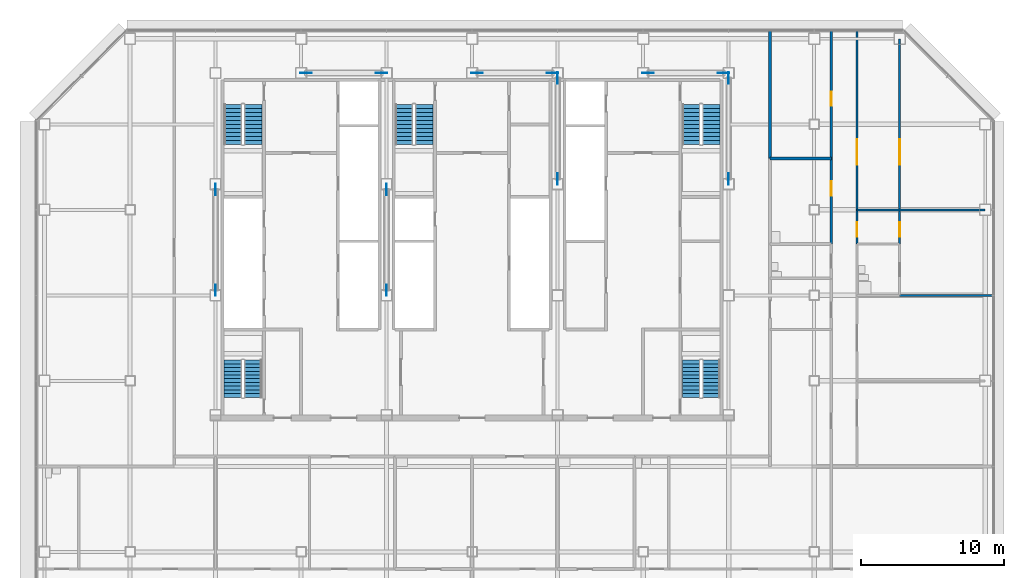
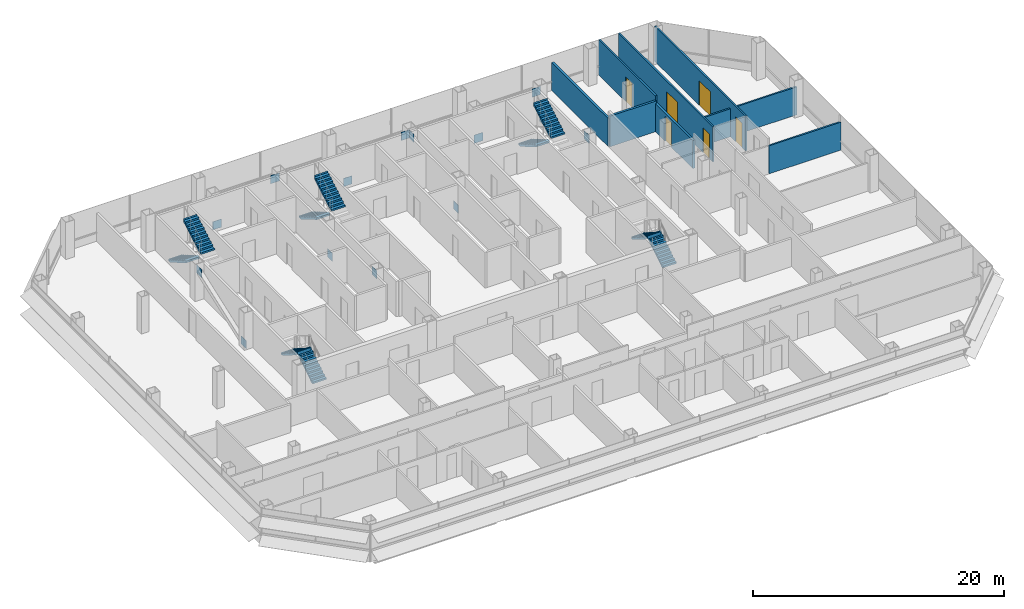
# One storey, part 23 of 25: 14 discrete accessories, 10 stair flights, 8 walls, 6 doors, 6 openings, 5 elements without a shape of their own.
"""IFC4 building model written with IfcOpenShell, lengths in metres."""

from ifc_helpers import new_model, si_unit, direction, frame, frame_2d, origin, origin_2d, place, context, subcontext, project, spatial, polyline, rectangle, outline, extrude, material, layer, layer_set, type_object, element, fill, aggregate, save


model = new_model("IFC4")

# Units and contexts
model_context = context("Model", 3, precision=1e-05, world=origin(), true_north=direction((0.0, 1.0)))
body_context = subcontext(model_context, "Body", "Model", "MODEL_VIEW")
ifc_project = project(units=[si_unit("LENGTHUNIT", "METRE"), si_unit("AREAUNIT", "SQUARE_METRE"), si_unit("VOLUMEUNIT", "CUBIC_METRE"), si_unit("PLANEANGLEUNIT", "RADIAN"), si_unit("MASSUNIT", "GRAM", prefix="KILO")], contexts=[model_context])

# Site, building, storey
site_placement = place(None, origin())
site = spatial("IfcSite", under=ifc_project, at=site_placement, CompositionType="ELEMENT")
building_placement = place(site_placement, origin())
building = spatial("IfcBuilding", under=site, at=building_placement, Name="Sorahane Residences", CompositionType="ELEMENT")
storey_placement = place(building_placement, frame((0.0, 0.0, 126.800048828125)))
storey = spatial("IfcBuildingStorey", under=building, at=storey_placement, Name="L28", CompositionType="ELEMENT", Elevation=126.800048828125)

# Wall
ifc_material_1 = material(Name="Concrete blockwork C20 wall", Category="masonry")
ifc_layer_1 = layer(ifc_material_1, 0.199951171875)
ifc_layer_set_1 = layer_set([ifc_layer_1], Name="Corridor wall 200 EI 120")
wall_type_1 = type_object("IfcWallType", Name="Corridor wall 200 EI 120", PredefinedType="SOLIDWALL", material=ifc_layer_set_1)
wall_1_placement = place(storey_placement, frame((44.89990234375, 39.60009765625, 0.0), z_axis=(0.0, 0.0, 1.0), x_axis=(0.0, 1.0, 0.0)))
element("IfcWall", 1, at=wall_1_placement, inside=storey, type_object=wall_type_1, Name="L28 corridor wall", PredefinedType="SOLIDWALL", context=body_context, shape_type="SweptSolid", body=[
    extrude(rectangle(XDim=9.0, YDim=0.199951171875, at=frame_2d((4.5, 0.0))), origin(), (0.0, 0.0, 1.0), 2.719970703125),
])

# Wall, opening, door
ifc_material_2 = material(Name="Concrete blockwork C20 wall", Category="masonry")
ifc_layer_2 = layer(ifc_material_2, 0.199951171875)
ifc_layer_set_2 = layer_set([ifc_layer_2], Name="Kitchen wall 200 EI 180")
wall_type_2 = type_object("IfcWallType", Name="Kitchen wall 200 EI 180", PredefinedType="SOLIDWALL", material=ifc_layer_set_2)
wall_2_placement = place(storey_placement, frame((49.199951171875, 33.60009765625, 0.0), z_axis=(0.0, 0.0, 1.0), x_axis=(0.0, 1.0, 0.0)))
wall_2 = element("IfcWall", 2, at=wall_2_placement, inside=storey, type_object=wall_type_2, Name="L28 kitchen wall", PredefinedType="SOLIDWALL", context=body_context, shape_type="SweptSolid", body=[
    extrude(rectangle(XDim=6.0, YDim=0.199951171875, at=frame_2d((3.0, 0.0))), origin(), (0.0, 0.0, 1.0), 2.719970703125),
])
opening_1_placement = place(wall_2_placement, frame((3.39990234375, 0.0, 0.0)))
opening_1 = element("IfcOpeningElement", 3, at=opening_1_placement, cuts=wall_2, Name="Opening L28-31", PredefinedType="OPENING", context=body_context, shape_type="SweptSolid", body=[
    extrude(rectangle(XDim=1.0, YDim=2.39990234375, at=frame_2d((0.5, 1.199951171875))), frame((0.0, 0.10986328125, 0.0), z_axis=(0.0, -1.0, 0.0), x_axis=(1.0, 0.0, 0.0)), (0.0, 0.0, 1.0), 0.219970703125),
])
ifc_material_3 = material(Name="Steel", Category="steel")
door_type_1 = type_object("IfcDoorType", Name="Kitchen door 1000x2400 FD120", OperationType="NOTDEFINED", PredefinedType="DOOR", material=ifc_material_3)
door_1_placement = place(opening_1_placement, origin())
door_1 = element("IfcDoor", 4, at=door_1_placement, inside=storey, type_object=door_type_1, Name="Kitchen door L28-31", OperationType="SINGLE_SWING_LEFT", OverallHeight=2.39990234375, OverallWidth=1.0, PredefinedType="DOOR", context=body_context, shape_type="SweptSolid", body=[
    extrude(rectangle(XDim=1.0, YDim=2.39990234375, at=frame_2d((0.5, 1.199951171875))), frame((0.0, 0.02490234375, 0.0), z_axis=(0.0, -1.0, 0.0), x_axis=(1.0, 0.0, 0.0)), (0.0, 0.0, 1.0), 0.050048828125),
])
fill(opening_1, door_1)

# Wall
wall_3_placement = place(storey_placement, frame((44.89990234375, 39.60009765625, 0.0), z_axis=(0.0, 0.0, 1.0), x_axis=(1.0, 0.0, 0.0)))
element("IfcWall", 5, at=wall_3_placement, inside=storey, type_object=wall_type_2, Name="L28 kitchen wall", PredefinedType="SOLIDWALL", context=body_context, shape_type="SweptSolid", body=[
    extrude(rectangle(XDim=4.300048828125, YDim=0.199951171875, at=frame_2d((2.14990234375, 0.0))), origin(), (0.0, 0.0, 1.0), 2.969970703125),
])

# Wall, opening, door
ifc_material_4 = material(Name="Gypsum board partition on steel studs", Category="steel")
ifc_layer_3 = layer(ifc_material_4, 0.14990234375)
ifc_layer_set_3 = layer_set([ifc_layer_3], Name="Partition 150 EI 90")
wall_type_3 = type_object("IfcWallType", Name="Partition 150 EI 90", PredefinedType="PARTITIONING", material=ifc_layer_set_3)
wall_4_placement = place(storey_placement, frame((49.199951171875, 39.60009765625, 0.0), z_axis=(0.0, 0.0, 1.0), x_axis=(0.0, 1.0, 0.0)))
wall_4 = element("IfcWall", 6, at=wall_4_placement, inside=storey, type_object=wall_type_3, Name="L28 partition", PredefinedType="PARTITIONING", context=body_context, shape_type="SweptSolid", body=[
    extrude(rectangle(XDim=9.0, YDim=0.14990234375, at=frame_2d((4.5, 0.0))), origin(), (0.0, 0.0, 1.0), 3.419921875),
])
opening_2_placement = place(wall_4_placement, frame((3.699951171875, 0.0, 0.0)))
opening_2 = element("IfcOpeningElement", 7, at=opening_2_placement, cuts=wall_4, Name="Opening L28-32", PredefinedType="OPENING", context=body_context, shape_type="SweptSolid", body=[
    extrude(rectangle(XDim=1.0, YDim=2.39990234375, at=frame_2d((0.5, 1.199951171875))), frame((0.0, 0.0849609375, 0.0), z_axis=(0.0, -1.0, 0.0), x_axis=(1.0, 0.0, 0.0)), (0.0, 0.0, 1.0), 0.169921875),
])
ifc_material_5 = material(Name="Timber veneered fire door", Category="wood")
door_type_2 = type_object("IfcDoorType", Name="Room door 1000x2400 FD30", OperationType="NOTDEFINED", PredefinedType="DOOR", material=ifc_material_5)
door_2_placement = place(opening_2_placement, origin())
door_2 = element("IfcDoor", 8, at=door_2_placement, inside=storey, type_object=door_type_2, Name="Room door L28-32", OperationType="SINGLE_SWING_RIGHT", OverallHeight=2.39990234375, OverallWidth=1.0, PredefinedType="DOOR", context=body_context, shape_type="SweptSolid", body=[
    extrude(rectangle(XDim=1.0, YDim=2.39990234375, at=frame_2d((0.5, 1.199951171875))), frame((0.0, 0.02490234375, 0.0), z_axis=(0.0, -1.0, 0.0), x_axis=(1.0, 0.0, 0.0)), (0.0, 0.0, 1.0), 0.050048828125),
])
fill(opening_2, door_2)

# Wall, openings, doors
wall_5_placement = place(storey_placement, frame((51.0, 33.60009765625, 0.0), z_axis=(0.0, 0.0, 1.0), x_axis=(0.0, 1.0, 0.0)))
wall_5 = element("IfcWall", 9, at=wall_5_placement, inside=storey, type_object=wall_type_3, Name="L28 partition", PredefinedType="PARTITIONING", context=body_context, shape_type="SweptSolid", body=[
    extrude(rectangle(XDim=15.0, YDim=0.14990234375, at=frame_2d((7.5, 0.0))), origin(), (0.0, 0.0, 1.0), 3.419921875),
])
opening_3_placement = place(wall_5_placement, frame((0.52001953125, 0.0, 0.0)))
opening_3 = element("IfcOpeningElement", 10, at=opening_3_placement, cuts=wall_5, Name="Opening L28-35", PredefinedType="OPENING", context=body_context, shape_type="SweptSolid", body=[
    extrude(rectangle(XDim=1.0, YDim=2.39990234375, at=frame_2d((0.5, 1.199951171875))), frame((0.0, 0.0849609375, 0.0), z_axis=(0.0, -1.0, 0.0), x_axis=(1.0, 0.0, 0.0)), (0.0, 0.0, 1.0), 0.169921875),
])
opening_4_placement = place(wall_5_placement, frame((5.56005859375, 0.0, 0.0)))
opening_4 = element("IfcOpeningElement", 11, at=opening_4_placement, cuts=wall_5, Name="Opening L28-36", PredefinedType="OPENING", context=body_context, shape_type="SweptSolid", body=[
    extrude(rectangle(XDim=1.800048828125, YDim=2.39990234375, at=frame_2d((0.89990234375, 1.199951171875))), frame((0.0, 0.0849609375, 0.0), z_axis=(0.0, -1.0, 0.0), x_axis=(1.0, 0.0, 0.0)), (0.0, 0.0, 1.0), 0.169921875),
])
ifc_material_6 = material(Name="Timber veneered fire door", Category="wood")
door_type_3 = type_object("IfcDoorType", Name="Double door 1800x2400 FD30", OperationType="NOTDEFINED", PredefinedType="DOOR", material=ifc_material_6)
door_3_placement = place(opening_4_placement, frame((1.800048828125, 0.0, 0.0), z_axis=(0.0, 0.0, 1.0), x_axis=(-1.0, 0.0, 0.0)))
door_3 = element("IfcDoor", 12, at=door_3_placement, inside=storey, type_object=door_type_3, Name="Double door L28-36", OperationType="SINGLE_SWING_RIGHT", OverallHeight=2.39990234375, OverallWidth=1.800048828125, PredefinedType="DOOR", context=body_context, shape_type="SweptSolid", body=[
    extrude(rectangle(XDim=1.800048828125, YDim=2.39990234375, at=frame_2d((0.89990234375, 1.199951171875))), frame((0.0, 0.02490234375, 0.0), z_axis=(0.0, -1.0, 0.0), x_axis=(1.0, 0.0, 0.0)), (0.0, 0.0, 1.0), 0.050048828125),
])
fill(opening_4, door_3)
door_4_placement = place(opening_3_placement, frame((1.0, 0.0, 0.0), z_axis=(0.0, 0.0, 1.0), x_axis=(-1.0, 0.0, 0.0)))
door_4 = element("IfcDoor", 13, at=door_4_placement, inside=storey, type_object=door_type_2, Name="Room door L28-35", OperationType="SINGLE_SWING_LEFT", OverallHeight=2.39990234375, OverallWidth=1.0, PredefinedType="DOOR", context=body_context, shape_type="SweptSolid", body=[
    extrude(rectangle(XDim=1.0, YDim=2.39990234375, at=frame_2d((0.5, 1.199951171875))), frame((0.0, 0.02490234375, 0.0), z_axis=(0.0, -1.0, 0.0), x_axis=(1.0, 0.0, 0.0)), (0.0, 0.0, 1.0), 0.050048828125),
])
fill(opening_3, door_4)

wall_6_placement = place(storey_placement, frame((54.0, 33.60009765625, 0.0), z_axis=(0.0, 0.0, 1.0), x_axis=(0.0, 1.0, 0.0)))
wall_6 = element("IfcWall", 14, at=wall_6_placement, inside=storey, type_object=wall_type_3, Name="L28 partition", PredefinedType="PARTITIONING", context=body_context, shape_type="SweptSolid", body=[
    extrude(rectangle(XDim=14.39990234375, YDim=0.14990234375, at=frame_2d((7.199951171875, 0.0))), origin(), (0.0, 0.0, 1.0), 3.419921875),
])
opening_5_placement = place(wall_6_placement, frame((0.52001953125, 0.0, 0.0)))
opening_5 = element("IfcOpeningElement", 15, at=opening_5_placement, cuts=wall_6, Name="Opening L28-37", PredefinedType="OPENING", context=body_context, shape_type="SweptSolid", body=[
    extrude(rectangle(XDim=1.0, YDim=2.39990234375, at=frame_2d((0.5, 1.199951171875))), frame((0.0, 0.0849609375, 0.0), z_axis=(0.0, -1.0, 0.0), x_axis=(1.0, 0.0, 0.0)), (0.0, 0.0, 1.0), 0.169921875),
])
opening_6_placement = place(wall_6_placement, frame((5.56005859375, 0.0, 0.0)))
opening_6 = element("IfcOpeningElement", 16, at=opening_6_placement, cuts=wall_6, Name="Opening L28-39", PredefinedType="OPENING", context=body_context, shape_type="SweptSolid", body=[
    extrude(rectangle(XDim=1.800048828125, YDim=2.39990234375, at=frame_2d((0.89990234375, 1.199951171875))), frame((0.0, 0.0849609375, 0.0), z_axis=(0.0, -1.0, 0.0), x_axis=(1.0, 0.0, 0.0)), (0.0, 0.0, 1.0), 0.169921875),
])
door_5_placement = place(opening_6_placement, frame((1.800048828125, 0.0, 0.0), z_axis=(0.0, 0.0, 1.0), x_axis=(-1.0, 0.0, 0.0)))
door_5 = element("IfcDoor", 17, at=door_5_placement, inside=storey, type_object=door_type_3, Name="Double door L28-39", OperationType="SINGLE_SWING_LEFT", OverallHeight=2.39990234375, OverallWidth=1.800048828125, PredefinedType="DOOR", context=body_context, shape_type="SweptSolid", body=[
    extrude(rectangle(XDim=1.800048828125, YDim=2.39990234375, at=frame_2d((0.89990234375, 1.199951171875))), frame((0.0, 0.02490234375, 0.0), z_axis=(0.0, -1.0, 0.0), x_axis=(1.0, 0.0, 0.0)), (0.0, 0.0, 1.0), 0.050048828125),
])
fill(opening_6, door_5)
door_6_placement = place(opening_5_placement, frame((1.0, 0.0, 0.0), z_axis=(0.0, 0.0, 1.0), x_axis=(-1.0, 0.0, 0.0)))
door_6 = element("IfcDoor", 18, at=door_6_placement, inside=storey, type_object=door_type_2, Name="Room door L28-37", OperationType="SINGLE_SWING_LEFT", OverallHeight=2.39990234375, OverallWidth=1.0, PredefinedType="DOOR", context=body_context, shape_type="SweptSolid", body=[
    extrude(rectangle(XDim=1.0, YDim=2.39990234375, at=frame_2d((0.5, 1.199951171875))), frame((0.0, 0.02490234375, 0.0), z_axis=(0.0, -1.0, 0.0), x_axis=(1.0, 0.0, 0.0)), (0.0, 0.0, 1.0), 0.050048828125),
])
fill(opening_5, door_6)

# Walls
wall_7_placement = place(storey_placement, frame((54.0, 30.0, 0.0), z_axis=(0.0, 0.0, 1.0), x_axis=(1.0, 0.0, 0.0)))
element("IfcWall", 19, at=wall_7_placement, inside=storey, type_object=wall_type_3, Name="L28 partition", PredefinedType="PARTITIONING", context=body_context, shape_type="SweptSolid", body=[
    extrude(rectangle(XDim=6.60009765625, YDim=0.14990234375, at=frame_2d((3.300048828125, 0.0))), origin(), (0.0, 0.0, 1.0), 2.719970703125),
])
wall_8_placement = place(storey_placement, frame((51.0, 36.0, 0.0), z_axis=(0.0, 0.0, 1.0), x_axis=(1.0, 0.0, 0.0)))
element("IfcWall", 20, at=wall_8_placement, inside=storey, type_object=wall_type_3, Name="L28 partition", PredefinedType="PARTITIONING", context=body_context, shape_type="SweptSolid", body=[
    extrude(rectangle(XDim=9.0, YDim=0.14990234375, at=frame_2d((4.5, 0.0))), origin(), (0.0, 0.0, 1.0), 2.719970703125),
])

# Stair, stair flights
ifc_material_7 = material(Name="Concrete C40", Category="concrete")
stair_type = type_object("IfcStairType", Name="Dog-leg stair 1250 Concrete C40", PredefinedType="HALF_TURN_STAIR", material=ifc_material_7)
stair_1_placement = place(storey_placement, origin())
stair_1 = element("IfcStair", 21, at=stair_1_placement, inside=storey, type_object=stair_type, Name="L28 Stair S1", PredefinedType="HALF_TURN_STAIR")
ifc_material_8 = material(Name="Concrete C40", Category="concrete")
stair_flight_type = type_object("IfcStairFlightType", Name="Stair flight 1250 Concrete C40", PredefinedType="STRAIGHT", material=ifc_material_8)
stair_flight_1_placement = place(storey_placement, frame((7.22509765625, 43.39990234375, 0.0), z_axis=(0.0, 0.0, 1.0), x_axis=(0.0, -1.0, 0.0)))
stair_flight_1 = element("IfcStairFlight", 22, at=stair_flight_1_placement, type_object=stair_flight_type, Name="S1 flight 1", NumberOfRisers=11, NumberOfTreads=10, PredefinedType="STRAIGHT", RiserHeight=0.163636364, TreadLength=0.28, context=body_context, shape_type="SweptSolid", body=[
    extrude(outline(polyline([(-0.00146484375, 0.0), (-0.00146484375, 0.16357421875), (0.0, 0.16357421875), (0.280029296875, 0.16357421875), (0.280029296875, 0.327392578125), (0.56005859375, 0.327392578125), (0.56005859375, 0.490966796875), (0.840087890625, 0.490966796875), (0.840087890625, 0.654541015625), (1.1201171875, 0.654541015625), (1.1201171875, 0.818115234375), (1.39990234375, 0.818115234375), (1.39990234375, 0.98193359375), (1.679931640625, 0.98193359375), (1.679931640625, 1.1455078125), (1.9599609375, 1.1455078125), (1.9599609375, 1.30908203125), (2.239990234375, 1.30908203125), (2.239990234375, 1.47265625), (2.52001953125, 1.47265625), (2.52001953125, 1.636474609375), (2.800048828125, 1.636474609375), (2.800048828125, 1.800048828125), (2.800048828125, 1.462646484375), (2.59130859375, 1.3408203125), (2.3828125, 1.218994140625), (2.17431640625, 1.09716796875), (1.965576171875, 0.97509765625), (1.757080078125, 0.853271484375), (1.548583984375, 0.7314453125), (1.340087890625, 0.609375), (1.13134765625, 0.487548828125), (0.9228515625, 0.36572265625), (0.71435546875, 0.243896484375), (0.505615234375, 0.121826171875), (0.297119140625, 0.0), (-0.00146484375, 0.0)])), frame((0.0, 0.625, 0.0), z_axis=(0.0, -1.0, 0.0), x_axis=(1.0, 0.0, 0.0)), (0.0, 0.0, 1.0), 1.25),
])
stair_flight_2_placement = place(storey_placement, frame((8.625, 40.60009765625, 1.800048828125), z_axis=(0.0, 0.0, 1.0), x_axis=(0.0, 1.0, 0.0)))
stair_flight_2 = element("IfcStairFlight", 23, at=stair_flight_2_placement, type_object=stair_flight_type, Name="S1 flight 2", NumberOfRisers=11, NumberOfTreads=10, PredefinedType="STRAIGHT", RiserHeight=0.163636364, TreadLength=0.28, context=body_context, shape_type="SweptSolid", body=[
    extrude(outline(polyline([(0.0, 0.0), (0.0, 0.16357421875), (0.280029296875, 0.16357421875), (0.280029296875, 0.327392578125), (0.56005859375, 0.327392578125), (0.56005859375, 0.490966796875), (0.840087890625, 0.490966796875), (0.840087890625, 0.654541015625), (1.1201171875, 0.654541015625), (1.1201171875, 0.818115234375), (1.39990234375, 0.818115234375), (1.39990234375, 0.98193359375), (1.679931640625, 0.98193359375), (1.679931640625, 1.1455078125), (1.9599609375, 1.1455078125), (1.9599609375, 1.30908203125), (2.239990234375, 1.30908203125), (2.239990234375, 1.47265625), (2.52001953125, 1.47265625), (2.52001953125, 1.636474609375), (2.800048828125, 1.636474609375), (2.800048828125, 1.800048828125), (2.801513671875, 1.800048828125), (2.801513671875, 1.462646484375), (2.5927734375, 1.3408203125), (2.384033203125, 1.218994140625), (2.17529296875, 1.09716796875), (1.966796875, 0.97509765625), (1.758056640625, 0.853271484375), (1.54931640625, 0.7314453125), (1.340576171875, 0.609375), (1.1318359375, 0.487548828125), (0.923095703125, 0.36572265625), (0.714599609375, 0.243896484375), (0.505859375, 0.121826171875), (0.297119140625, 0.0), (0.0, 0.0)])), frame((0.0, 0.625, 0.0), z_axis=(0.0, -1.0, 0.0), x_axis=(1.0, 0.0, 0.0)), (0.0, 0.0, 1.0), 1.25),
])
aggregate(stair_1, [stair_flight_1, stair_flight_2])

stair_2_placement = place(storey_placement, origin())
stair_2 = element("IfcStair", 24, at=stair_2_placement, inside=storey, type_object=stair_type, Name="L28 Stair S2", PredefinedType="HALF_TURN_STAIR")
stair_flight_3_placement = place(storey_placement, frame((39.375, 43.39990234375, 0.0), z_axis=(0.0, 0.0, 1.0), x_axis=(0.0, -1.0, 0.0)))
stair_flight_3 = element("IfcStairFlight", 25, at=stair_flight_3_placement, type_object=stair_flight_type, Name="S2 flight 1", NumberOfRisers=11, NumberOfTreads=10, PredefinedType="STRAIGHT", RiserHeight=0.163636364, TreadLength=0.28, context=body_context, shape_type="SweptSolid", body=[
    extrude(outline(polyline([(-0.00146484375, 0.0), (-0.00146484375, 0.16357421875), (0.0, 0.16357421875), (0.280029296875, 0.16357421875), (0.280029296875, 0.327392578125), (0.56005859375, 0.327392578125), (0.56005859375, 0.490966796875), (0.840087890625, 0.490966796875), (0.840087890625, 0.654541015625), (1.1201171875, 0.654541015625), (1.1201171875, 0.818115234375), (1.39990234375, 0.818115234375), (1.39990234375, 0.98193359375), (1.679931640625, 0.98193359375), (1.679931640625, 1.1455078125), (1.9599609375, 1.1455078125), (1.9599609375, 1.30908203125), (2.239990234375, 1.30908203125), (2.239990234375, 1.47265625), (2.52001953125, 1.47265625), (2.52001953125, 1.636474609375), (2.800048828125, 1.636474609375), (2.800048828125, 1.800048828125), (2.800048828125, 1.462646484375), (2.59130859375, 1.3408203125), (2.3828125, 1.218994140625), (2.17431640625, 1.09716796875), (1.965576171875, 0.97509765625), (1.757080078125, 0.853271484375), (1.548583984375, 0.7314453125), (1.340087890625, 0.609375), (1.13134765625, 0.487548828125), (0.9228515625, 0.36572265625), (0.71435546875, 0.243896484375), (0.505615234375, 0.121826171875), (0.297119140625, 0.0), (-0.00146484375, 0.0)])), frame((0.0, 0.625, 0.0), z_axis=(0.0, -1.0, 0.0), x_axis=(1.0, 0.0, 0.0)), (0.0, 0.0, 1.0), 1.25),
])
stair_flight_4_placement = place(storey_placement, frame((40.77490234375, 40.60009765625, 1.800048828125), z_axis=(0.0, 0.0, 1.0), x_axis=(0.0, 1.0, 0.0)))
stair_flight_4 = element("IfcStairFlight", 26, at=stair_flight_4_placement, type_object=stair_flight_type, Name="S2 flight 2", NumberOfRisers=11, NumberOfTreads=10, PredefinedType="STRAIGHT", RiserHeight=0.163636364, TreadLength=0.28, context=body_context, shape_type="SweptSolid", body=[
    extrude(outline(polyline([(0.0, 0.0), (0.0, 0.16357421875), (0.280029296875, 0.16357421875), (0.280029296875, 0.327392578125), (0.56005859375, 0.327392578125), (0.56005859375, 0.490966796875), (0.840087890625, 0.490966796875), (0.840087890625, 0.654541015625), (1.1201171875, 0.654541015625), (1.1201171875, 0.818115234375), (1.39990234375, 0.818115234375), (1.39990234375, 0.98193359375), (1.679931640625, 0.98193359375), (1.679931640625, 1.1455078125), (1.9599609375, 1.1455078125), (1.9599609375, 1.30908203125), (2.239990234375, 1.30908203125), (2.239990234375, 1.47265625), (2.52001953125, 1.47265625), (2.52001953125, 1.636474609375), (2.800048828125, 1.636474609375), (2.800048828125, 1.800048828125), (2.801513671875, 1.800048828125), (2.801513671875, 1.462646484375), (2.5927734375, 1.3408203125), (2.384033203125, 1.218994140625), (2.17529296875, 1.09716796875), (1.966796875, 0.97509765625), (1.758056640625, 0.853271484375), (1.54931640625, 0.7314453125), (1.340576171875, 0.609375), (1.1318359375, 0.487548828125), (0.923095703125, 0.36572265625), (0.714599609375, 0.243896484375), (0.505859375, 0.121826171875), (0.297119140625, 0.0), (0.0, 0.0)])), frame((0.0, 0.625, 0.0), z_axis=(0.0, -1.0, 0.0), x_axis=(1.0, 0.0, 0.0)), (0.0, 0.0, 1.0), 1.25),
])
aggregate(stair_2, [stair_flight_3, stair_flight_4])

stair_3_placement = place(storey_placement, origin())
stair_3 = element("IfcStair", 27, at=stair_3_placement, inside=storey, type_object=stair_type, Name="L28 Stair S3", PredefinedType="HALF_TURN_STAIR")
stair_flight_5_placement = place(storey_placement, frame((19.22509765625, 43.39990234375, 0.0), z_axis=(0.0, 0.0, 1.0), x_axis=(0.0, -1.0, 0.0)))
stair_flight_5 = element("IfcStairFlight", 28, at=stair_flight_5_placement, type_object=stair_flight_type, Name="S3 flight 1", NumberOfRisers=11, NumberOfTreads=10, PredefinedType="STRAIGHT", RiserHeight=0.163636364, TreadLength=0.28, context=body_context, shape_type="SweptSolid", body=[
    extrude(outline(polyline([(-0.00146484375, 0.0), (-0.00146484375, 0.16357421875), (0.0, 0.16357421875), (0.280029296875, 0.16357421875), (0.280029296875, 0.327392578125), (0.56005859375, 0.327392578125), (0.56005859375, 0.490966796875), (0.840087890625, 0.490966796875), (0.840087890625, 0.654541015625), (1.1201171875, 0.654541015625), (1.1201171875, 0.818115234375), (1.39990234375, 0.818115234375), (1.39990234375, 0.98193359375), (1.679931640625, 0.98193359375), (1.679931640625, 1.1455078125), (1.9599609375, 1.1455078125), (1.9599609375, 1.30908203125), (2.239990234375, 1.30908203125), (2.239990234375, 1.47265625), (2.52001953125, 1.47265625), (2.52001953125, 1.636474609375), (2.800048828125, 1.636474609375), (2.800048828125, 1.800048828125), (2.800048828125, 1.462646484375), (2.59130859375, 1.3408203125), (2.3828125, 1.218994140625), (2.17431640625, 1.09716796875), (1.965576171875, 0.97509765625), (1.757080078125, 0.853271484375), (1.548583984375, 0.7314453125), (1.340087890625, 0.609375), (1.13134765625, 0.487548828125), (0.9228515625, 0.36572265625), (0.71435546875, 0.243896484375), (0.505615234375, 0.121826171875), (0.297119140625, 0.0), (-0.00146484375, 0.0)])), frame((0.0, 0.625, 0.0), z_axis=(0.0, -1.0, 0.0), x_axis=(1.0, 0.0, 0.0)), (0.0, 0.0, 1.0), 1.25),
])
stair_flight_6_placement = place(storey_placement, frame((20.625, 40.60009765625, 1.800048828125), z_axis=(0.0, 0.0, 1.0), x_axis=(0.0, 1.0, 0.0)))
stair_flight_6 = element("IfcStairFlight", 29, at=stair_flight_6_placement, type_object=stair_flight_type, Name="S3 flight 2", NumberOfRisers=11, NumberOfTreads=10, PredefinedType="STRAIGHT", RiserHeight=0.163636364, TreadLength=0.28, context=body_context, shape_type="SweptSolid", body=[
    extrude(outline(polyline([(0.0, 0.0), (0.0, 0.16357421875), (0.280029296875, 0.16357421875), (0.280029296875, 0.327392578125), (0.56005859375, 0.327392578125), (0.56005859375, 0.490966796875), (0.840087890625, 0.490966796875), (0.840087890625, 0.654541015625), (1.1201171875, 0.654541015625), (1.1201171875, 0.818115234375), (1.39990234375, 0.818115234375), (1.39990234375, 0.98193359375), (1.679931640625, 0.98193359375), (1.679931640625, 1.1455078125), (1.9599609375, 1.1455078125), (1.9599609375, 1.30908203125), (2.239990234375, 1.30908203125), (2.239990234375, 1.47265625), (2.52001953125, 1.47265625), (2.52001953125, 1.636474609375), (2.800048828125, 1.636474609375), (2.800048828125, 1.800048828125), (2.801513671875, 1.800048828125), (2.801513671875, 1.462646484375), (2.5927734375, 1.3408203125), (2.384033203125, 1.218994140625), (2.17529296875, 1.09716796875), (1.966796875, 0.97509765625), (1.758056640625, 0.853271484375), (1.54931640625, 0.7314453125), (1.340576171875, 0.609375), (1.1318359375, 0.487548828125), (0.923095703125, 0.36572265625), (0.714599609375, 0.243896484375), (0.505859375, 0.121826171875), (0.297119140625, 0.0), (0.0, 0.0)])), frame((0.0, 0.625, 0.0), z_axis=(0.0, -1.0, 0.0), x_axis=(1.0, 0.0, 0.0)), (0.0, 0.0, 1.0), 1.25),
])
aggregate(stair_3, [stair_flight_5, stair_flight_6])

stair_4_placement = place(storey_placement, origin())
stair_4 = element("IfcStair", 30, at=stair_4_placement, inside=storey, type_object=stair_type, Name="L28 Stair S4", PredefinedType="HALF_TURN_STAIR")
stair_flight_7_placement = place(storey_placement, frame((8.625, 22.85009765625, 0.0), z_axis=(0.0, 0.0, 1.0), x_axis=(0.0, 1.0, 0.0)))
stair_flight_7 = element("IfcStairFlight", 31, at=stair_flight_7_placement, type_object=stair_flight_type, Name="S4 flight 1", NumberOfRisers=11, NumberOfTreads=10, PredefinedType="STRAIGHT", RiserHeight=0.163636364, TreadLength=0.26, context=body_context, shape_type="SweptSolid", body=[
    extrude(outline(polyline([(-0.00146484375, 0.0), (-0.00146484375, 0.16357421875), (0.0, 0.16357421875), (0.260009765625, 0.16357421875), (0.260009765625, 0.327392578125), (0.52001953125, 0.327392578125), (0.52001953125, 0.490966796875), (0.780029296875, 0.490966796875), (0.780029296875, 0.654541015625), (1.0400390625, 0.654541015625), (1.0400390625, 0.818115234375), (1.300048828125, 0.818115234375), (1.300048828125, 0.98193359375), (1.56005859375, 0.98193359375), (1.56005859375, 1.1455078125), (1.820068359375, 1.1455078125), (1.820068359375, 1.30908203125), (2.080078125, 1.30908203125), (2.080078125, 1.47265625), (2.340087890625, 1.47265625), (2.340087890625, 1.636474609375), (2.60009765625, 1.636474609375), (2.60009765625, 1.800048828125), (2.60009765625, 1.494384765625), (2.402099609375, 1.369873046875), (2.204345703125, 1.245361328125), (2.00634765625, 1.120849609375), (1.80859375, 0.996337890625), (1.610595703125, 0.871826171875), (1.412841796875, 0.747314453125), (1.21484375, 0.622802734375), (1.01708984375, 0.498046875), (0.819091796875, 0.37353515625), (0.621337890625, 0.2490234375), (0.42333984375, 0.12451171875), (0.2255859375, 0.0), (-0.00146484375, 0.0)])), frame((0.0, 0.625, 0.0), z_axis=(0.0, -1.0, 0.0), x_axis=(1.0, 0.0, 0.0)), (0.0, 0.0, 1.0), 1.25),
])
stair_flight_8_placement = place(storey_placement, frame((7.22509765625, 25.449951171875, 1.800048828125), z_axis=(0.0, 0.0, 1.0), x_axis=(0.0, -1.0, 0.0)))
stair_flight_8 = element("IfcStairFlight", 32, at=stair_flight_8_placement, type_object=stair_flight_type, Name="S4 flight 2", NumberOfRisers=11, NumberOfTreads=10, PredefinedType="STRAIGHT", RiserHeight=0.163636364, TreadLength=0.26, context=body_context, shape_type="SweptSolid", body=[
    extrude(outline(polyline([(0.0, 0.0), (0.0, 0.16357421875), (0.260009765625, 0.16357421875), (0.260009765625, 0.327392578125), (0.52001953125, 0.327392578125), (0.52001953125, 0.490966796875), (0.780029296875, 0.490966796875), (0.780029296875, 0.654541015625), (1.0400390625, 0.654541015625), (1.0400390625, 0.818115234375), (1.300048828125, 0.818115234375), (1.300048828125, 0.98193359375), (1.56005859375, 0.98193359375), (1.56005859375, 1.1455078125), (1.820068359375, 1.1455078125), (1.820068359375, 1.30908203125), (2.080078125, 1.30908203125), (2.080078125, 1.47265625), (2.340087890625, 1.47265625), (2.340087890625, 1.636474609375), (2.60009765625, 1.636474609375), (2.60009765625, 1.800048828125), (2.6015625, 1.800048828125), (2.6015625, 1.494384765625), (2.403564453125, 1.369873046875), (2.20556640625, 1.245361328125), (2.007568359375, 1.120849609375), (1.8095703125, 0.996337890625), (1.611572265625, 0.871826171875), (1.41357421875, 0.747314453125), (1.215576171875, 0.622802734375), (1.017578125, 0.498046875), (0.819580078125, 0.37353515625), (0.62158203125, 0.2490234375), (0.423583984375, 0.12451171875), (0.2255859375, 0.0), (0.0, 0.0)])), frame((0.0, 0.625, 0.0), z_axis=(0.0, -1.0, 0.0), x_axis=(1.0, 0.0, 0.0)), (0.0, 0.0, 1.0), 1.25),
])
aggregate(stair_4, [stair_flight_7, stair_flight_8])

stair_5_placement = place(storey_placement, origin())
stair_5 = element("IfcStair", 33, at=stair_5_placement, inside=storey, type_object=stair_type, Name="L28 Stair S5", PredefinedType="HALF_TURN_STAIR")
stair_flight_9_placement = place(storey_placement, frame((40.77490234375, 22.85009765625, 0.0), z_axis=(0.0, 0.0, 1.0), x_axis=(0.0, 1.0, 0.0)))
stair_flight_9 = element("IfcStairFlight", 34, at=stair_flight_9_placement, type_object=stair_flight_type, Name="S5 flight 1", NumberOfRisers=11, NumberOfTreads=10, PredefinedType="STRAIGHT", RiserHeight=0.163636364, TreadLength=0.26, context=body_context, shape_type="SweptSolid", body=[
    extrude(outline(polyline([(-0.00146484375, 0.0), (-0.00146484375, 0.16357421875), (0.0, 0.16357421875), (0.260009765625, 0.16357421875), (0.260009765625, 0.327392578125), (0.52001953125, 0.327392578125), (0.52001953125, 0.490966796875), (0.780029296875, 0.490966796875), (0.780029296875, 0.654541015625), (1.0400390625, 0.654541015625), (1.0400390625, 0.818115234375), (1.300048828125, 0.818115234375), (1.300048828125, 0.98193359375), (1.56005859375, 0.98193359375), (1.56005859375, 1.1455078125), (1.820068359375, 1.1455078125), (1.820068359375, 1.30908203125), (2.080078125, 1.30908203125), (2.080078125, 1.47265625), (2.340087890625, 1.47265625), (2.340087890625, 1.636474609375), (2.60009765625, 1.636474609375), (2.60009765625, 1.800048828125), (2.60009765625, 1.494384765625), (2.402099609375, 1.369873046875), (2.204345703125, 1.245361328125), (2.00634765625, 1.120849609375), (1.80859375, 0.996337890625), (1.610595703125, 0.871826171875), (1.412841796875, 0.747314453125), (1.21484375, 0.622802734375), (1.01708984375, 0.498046875), (0.819091796875, 0.37353515625), (0.621337890625, 0.2490234375), (0.42333984375, 0.12451171875), (0.2255859375, 0.0), (-0.00146484375, 0.0)])), frame((0.0, 0.625, 0.0), z_axis=(0.0, -1.0, 0.0), x_axis=(1.0, 0.0, 0.0)), (0.0, 0.0, 1.0), 1.25),
])
stair_flight_10_placement = place(storey_placement, frame((39.375, 25.449951171875, 1.800048828125), z_axis=(0.0, 0.0, 1.0), x_axis=(0.0, -1.0, 0.0)))
stair_flight_10 = element("IfcStairFlight", 35, at=stair_flight_10_placement, type_object=stair_flight_type, Name="S5 flight 2", NumberOfRisers=11, NumberOfTreads=10, PredefinedType="STRAIGHT", RiserHeight=0.163636364, TreadLength=0.26, context=body_context, shape_type="SweptSolid", body=[
    extrude(outline(polyline([(0.0, 0.0), (0.0, 0.16357421875), (0.260009765625, 0.16357421875), (0.260009765625, 0.327392578125), (0.52001953125, 0.327392578125), (0.52001953125, 0.490966796875), (0.780029296875, 0.490966796875), (0.780029296875, 0.654541015625), (1.0400390625, 0.654541015625), (1.0400390625, 0.818115234375), (1.300048828125, 0.818115234375), (1.300048828125, 0.98193359375), (1.56005859375, 0.98193359375), (1.56005859375, 1.1455078125), (1.820068359375, 1.1455078125), (1.820068359375, 1.30908203125), (2.080078125, 1.30908203125), (2.080078125, 1.47265625), (2.340087890625, 1.47265625), (2.340087890625, 1.636474609375), (2.60009765625, 1.636474609375), (2.60009765625, 1.800048828125), (2.6015625, 1.800048828125), (2.6015625, 1.494384765625), (2.403564453125, 1.369873046875), (2.20556640625, 1.245361328125), (2.007568359375, 1.120849609375), (1.8095703125, 0.996337890625), (1.611572265625, 0.871826171875), (1.41357421875, 0.747314453125), (1.215576171875, 0.622802734375), (1.017578125, 0.498046875), (0.819580078125, 0.37353515625), (0.62158203125, 0.2490234375), (0.423583984375, 0.12451171875), (0.2255859375, 0.0), (0.0, 0.0)])), frame((0.0, 0.625, 0.0), z_axis=(0.0, -1.0, 0.0), x_axis=(1.0, 0.0, 0.0)), (0.0, 0.0, 1.0), 1.25),
])
aggregate(stair_5, [stair_flight_9, stair_flight_10])

# Discrete accessories
ifc_material_9 = material(Name="Steel Q355B", Category="steel")
ifc_layer_4 = layer(ifc_material_9, 0.02490234375)
ifc_layer_set_4 = layer_set([ifc_layer_4], Name="Node plate Steel Q355B 25")
discrete_accessory_type = type_object("IfcDiscreteAccessoryType", Name="Node plate Steel Q355B 25", PredefinedType="BRACKET", material=ifc_layer_set_4)
for number, where, z_axis, x_axis, name in (
    (36, (6.0, 30.358642578125, -0.21533203125), (0.0, 0.0, 1.0), (0.0, 1.0, 0.0), "Node plate L28 br"),
    (37, (6.0, 37.44140625, 2.38525390625), (0.0, 0.0, 1.0), (0.0, 1.0, 0.0), "Node plate L28 br"),
    (38, (18.0, 37.44140625, -0.21533203125), (0.0, 0.0, 1.0), (0.0, 1.0, 0.0), "Node plate L28 br"),
    (39, (18.0, 30.358642578125, 2.38525390625), (0.0, 0.0, 1.0), (0.0, 1.0, 0.0), "Node plate L28 br"),
    (40, (30.0, 38.15869140625, -0.21533203125), (0.0, 0.0, 1.0), (0.0, 1.0, 0.0), "Node plate L28 br"),
    (41, (30.0, 45.241455078125, 2.38525390625), (0.0, 0.0, 1.0), (0.0, 1.0, 0.0), "Node plate L28 br"),
    (42, (42.0, 45.241455078125, -0.21533203125), (0.0, 0.0, 1.0), (0.0, 1.0, 0.0), "Node plate L28 br"),
    (43, (42.0, 38.15869140625, 2.38525390625), (0.0, 0.0, 1.0), (0.0, 1.0, 0.0), "Node plate L28 br"),
    (44, (12.3466796875, 45.60009765625, -0.2265625), (0.0, 0.0, 1.0), (1.0, 0.0, 0.0), "Node plate L28 br"),
    (45, (24.3466796875, 45.60009765625, -0.2265625), (0.0, 0.0, 1.0), (1.0, 0.0, 0.0), "Node plate L28 br"),
    (46, (36.3466796875, 45.60009765625, -0.2265625), (0.0, 0.0, 1.0), (1.0, 0.0, 0.0), "Node plate L28 br"),
    (47, (17.6533203125, 45.60009765625, 2.39599609375), (0.0, 0.0, 1.0), (1.0, 0.0, 0.0), "Node plate L28 br"),
    (48, (29.6533203125, 45.60009765625, 2.39599609375), (0.0, 0.0, 1.0), (1.0, 0.0, 0.0), "Node plate L28 br"),
    (49, (41.6533203125, 45.60009765625, 2.39599609375), (0.0, 0.0, 1.0), (1.0, 0.0, 0.0), "Node plate L28 br"),
):
    element("IfcDiscreteAccessory", number, at=place(storey_placement, frame(where, z_axis=z_axis, x_axis=x_axis)), inside=storey, type_object=discrete_accessory_type, Name=name, PredefinedType="BRACKET", context=body_context, shape_type="SweptSolid", body=[
        extrude(rectangle(XDim=0.800048828125, YDim=0.02490234375, at=origin_2d()), origin(), (0.0, 0.0, 1.0), 0.800048828125),
    ])

save(model, "model.ifc")
